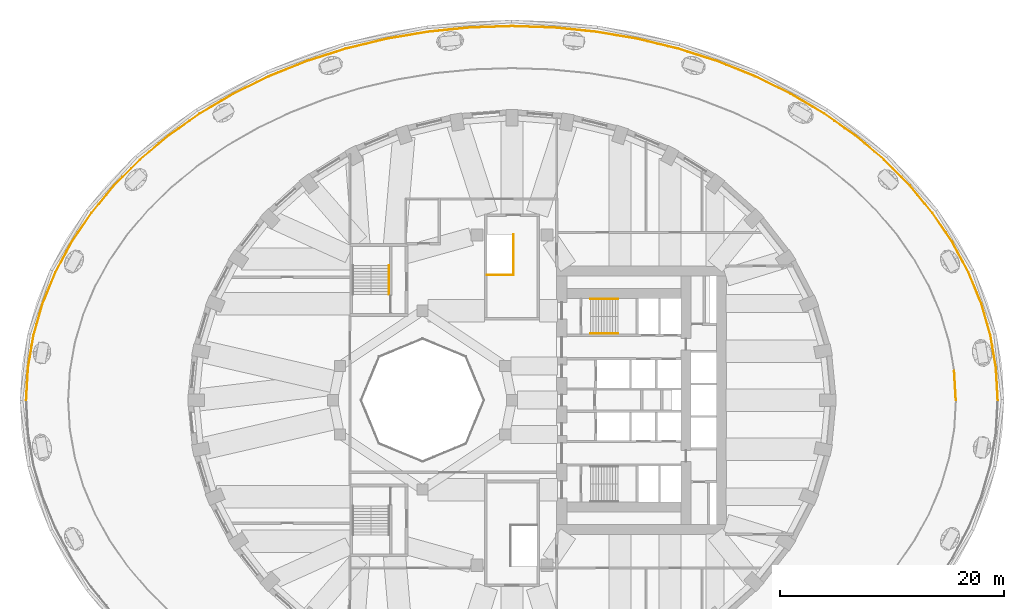
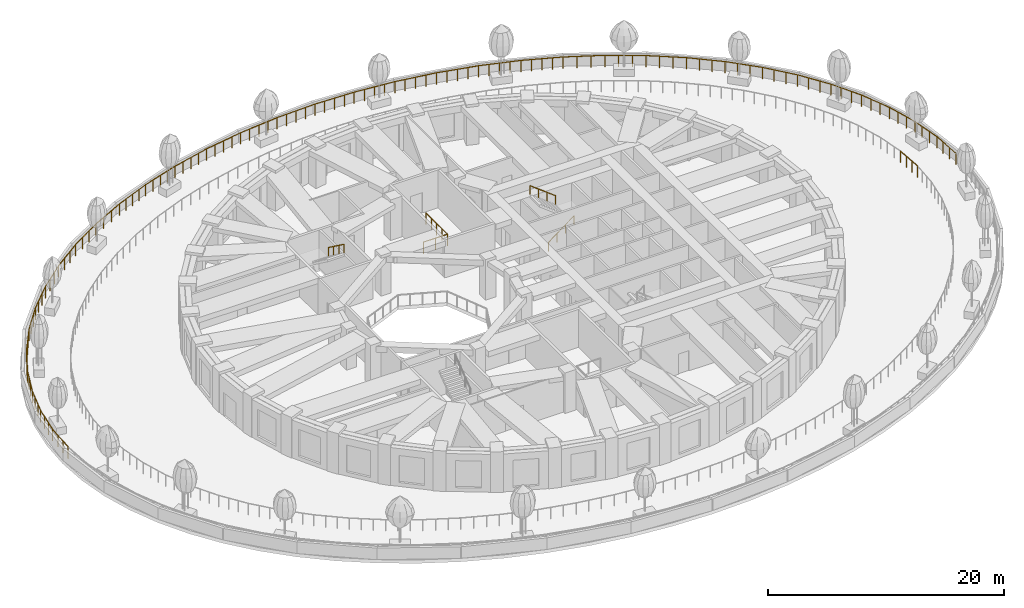
# One storey, part 12 of 17: 6 railings.
"""IFC4 building model written with IfcOpenShell, lengths in metres."""

from ifc_helpers import new_model, si_unit, direction, frame, origin, origin_2d, place, context, subcontext, project, spatial, circle, extrude, material, type_object, element, save


model = new_model("IFC4")

# Units and contexts
model_context = context("Model", 3, precision=1e-05, world=origin(), true_north=direction((0.0, 1.0)))
body_context = subcontext(model_context, "Body", "Model", "MODEL_VIEW")
ifc_project = project(units=[si_unit("LENGTHUNIT", "METRE"), si_unit("AREAUNIT", "SQUARE_METRE"), si_unit("VOLUMEUNIT", "CUBIC_METRE"), si_unit("PLANEANGLEUNIT", "RADIAN"), si_unit("MASSUNIT", "GRAM", prefix="KILO")], contexts=[model_context])

# Site, building, storey
site_placement = place(None, origin())
site = spatial("IfcSite", under=ifc_project, at=site_placement, CompositionType="ELEMENT")
building_placement = place(site_placement, origin())
building = spatial("IfcBuilding", under=site, at=building_placement, Name="Taillehof Tower", CompositionType="ELEMENT")
storey_placement = place(building_placement, frame((0.0, 0.0, 17.5)))
storey = spatial("IfcBuildingStorey", under=building, at=storey_placement, Name="L03", CompositionType="ELEMENT", Elevation=17.5)

# Railings
ifc_material_1 = material(Name="Stainless steel balustrade", Category="steel")
railing_type_1 = type_object("IfcRailingType", Name="Garden border gate 1200", PredefinedType="GUARDRAIL", material=ifc_material_1)
railing_1_placement = place(storey_placement, frame((39.699951171875, 0.0, 0.0)))
element("IfcRailing", 1, at=railing_1_placement, inside=storey, type_object=railing_type_1, Name="Garden border gate", PredefinedType="GUARDRAIL", context=body_context, shape_type="SweptSolid", body=[
    extrude(circle(Radius=0.02392578125, at=origin_2d()), frame((0.0, 0.0, 1.17578125), z_axis=(-0.058280472878, 0.998300248663, 0.0), x_axis=(-0.998300248663, -0.058280472878, 0.0)), (0.0, 0.0, 1.0), 2.593017578125),
    extrude(circle(Radius=0.02099609375, at=origin_2d()), origin(), (0.0, 0.0, 1.0), 1.15185546875),
    extrude(circle(Radius=0.02099609375, at=origin_2d()), frame((-0.05029296875, 0.86279296875, 0.0)), (0.0, 0.0, 1.0), 1.15185546875),
    extrude(circle(Radius=0.02099609375, at=origin_2d()), frame((-0.100830078125, 1.725830078125, 0.0)), (0.0, 0.0, 1.0), 1.15185546875),
    extrude(circle(Radius=0.02099609375, at=origin_2d()), frame((-0.151123046875, 2.588623046875, 0.0)), (0.0, 0.0, 1.0), 1.15185546875),
])
ifc_material_2 = material(Name="Stainless steel and laminated glass", Category="steel")
railing_type_2 = type_object("IfcRailingType", Name="Guard 1200 mm", PredefinedType="GUARDRAIL", material=ifc_material_2)
railing_2_placement = place(storey_placement, frame((0.125, 14.820068359375, 0.0)))
element("IfcRailing", 2, at=railing_2_placement, inside=storey, type_object=railing_type_2, Name="Guard P1", PredefinedType="GUARDRAIL", context=body_context, shape_type="SweptSolid", body=[
    extrude(circle(Radius=0.02392578125, at=origin_2d()), frame((0.0, 0.0, 1.17578125), z_axis=(0.0, -1.0, 0.0), x_axis=(1.0, 0.0, 0.0)), (0.0, 0.0, 1.0), 3.64013671875),
    extrude(circle(Radius=0.02392578125, at=origin_2d()), frame((0.0, -3.64013671875, 1.17578125), z_axis=(-1.0, 0.0, 0.0), x_axis=(0.0, -1.0, 0.0)), (0.0, 0.0, 1.0), 2.35009765625),
    extrude(circle(Radius=0.02099609375, at=origin_2d()), origin(), (0.0, 0.0, 1.0), 1.15185546875),
    extrude(circle(Radius=0.02099609375, at=origin_2d()), frame((0.0, -0.91015625, 0.0)), (0.0, 0.0, 1.0), 1.15185546875),
    extrude(circle(Radius=0.02099609375, at=origin_2d()), frame((0.0, -1.820068359375, 0.0)), (0.0, 0.0, 1.0), 1.15185546875),
    extrude(circle(Radius=0.02099609375, at=origin_2d()), frame((0.0, -2.72998046875, 0.0)), (0.0, 0.0, 1.0), 1.15185546875),
    extrude(circle(Radius=0.02099609375, at=origin_2d()), frame((0.0, -3.64013671875, 0.0)), (0.0, 0.0, 1.0), 1.15185546875),
    extrude(circle(Radius=0.02099609375, at=origin_2d()), frame((-1.175048828125, -3.64013671875, 0.0)), (0.0, 0.0, 1.0), 1.15185546875),
    extrude(circle(Radius=0.02099609375, at=origin_2d()), frame((-2.35009765625, -3.64013671875, 0.0)), (0.0, 0.0, 1.0), 1.15185546875),
])
ifc_material_3 = material(Name="Stainless steel", Category="steel")
railing_type_3 = type_object("IfcRailingType", Name="Stair handrail 900", PredefinedType="HANDRAIL", material=ifc_material_3)
railing_3_placement = place(storey_placement, frame((7.0, 5.949951171875, 0.19091796875)))
element("IfcRailing", 3, at=railing_3_placement, inside=storey, type_object=railing_type_3, Name="Stair S1 handrail", PredefinedType="HANDRAIL", context=body_context, shape_type="SweptSolid", body=[
    extrude(circle(Radius=0.02392578125, at=origin_2d()), frame((0.0, 0.0, 0.8759765625), z_axis=(0.794754200304, 0.0, 0.60693143031), x_axis=(0.0, 1.0, 0.0)), (0.0, 0.0, 1.0), 3.1455078125),
    extrude(circle(Radius=0.02099609375, at=origin_2d()), origin(), (0.0, 0.0, 1.0), 0.851806640625),
    extrude(circle(Radius=0.02099609375, at=origin_2d()), frame((0.833251953125, 0.0, 0.636474609375)), (0.0, 0.0, 1.0), 0.851806640625),
    extrude(circle(Radius=0.02099609375, at=origin_2d()), frame((1.666748046875, 0.0, 1.272705078125)), (0.0, 0.0, 1.0), 0.851806640625),
    extrude(circle(Radius=0.02099609375, at=origin_2d()), frame((2.5, 0.0, 1.9091796875)), (0.0, 0.0, 1.0), 0.851806640625),
])
railing_4_placement = place(storey_placement, frame((9.5, 9.050048828125, 2.291015625)))
element("IfcRailing", 4, at=railing_4_placement, inside=storey, type_object=railing_type_3, Name="Stair S1 handrail", PredefinedType="HANDRAIL", context=body_context, shape_type="SweptSolid", body=[
    extrude(circle(Radius=0.02392578125, at=origin_2d()), frame((0.0, 0.0, 0.8759765625), z_axis=(-0.794791637926, 0.0, 0.606882403998), x_axis=(0.0, -1.0, 0.0)), (0.0, 0.0, 1.0), 3.1455078125),
    extrude(circle(Radius=0.02099609375, at=origin_2d()), origin(), (0.0, 0.0, 1.0), 0.851806640625),
    extrude(circle(Radius=0.02099609375, at=origin_2d()), frame((-0.833251953125, 0.0, 0.63623046875)), (0.0, 0.0, 1.0), 0.851806640625),
    extrude(circle(Radius=0.02099609375, at=origin_2d()), frame((-1.666748046875, 0.0, 1.272705078125)), (0.0, 0.0, 1.0), 0.851806640625),
    extrude(circle(Radius=0.02099609375, at=origin_2d()), frame((-2.5, 0.0, 1.908935546875)), (0.0, 0.0, 1.0), 0.851806640625),
])
railing_5_placement = place(storey_placement, frame((-11.0, 12.050048828125, 2.291015625)))
element("IfcRailing", 5, at=railing_5_placement, inside=storey, type_object=railing_type_3, Name="Stair S3 handrail", PredefinedType="HANDRAIL", context=body_context, shape_type="SweptSolid", body=[
    extrude(circle(Radius=0.02392578125, at=origin_2d()), frame((0.0, 0.0, 0.8759765625), z_axis=(0.0, -0.806080027154, 0.591806547635), x_axis=(1.0, 0.0, 0.0)), (0.0, 0.0, 1.0), 3.2255859375),
    extrude(circle(Radius=0.02099609375, at=origin_2d()), origin(), (0.0, 0.0, 1.0), 0.851806640625),
    extrude(circle(Radius=0.02099609375, at=origin_2d()), frame((0.0, -0.86669921875, 0.63623046875)), (0.0, 0.0, 1.0), 0.851806640625),
    extrude(circle(Radius=0.02099609375, at=origin_2d()), frame((0.0, -1.7333984375, 1.272705078125)), (0.0, 0.0, 1.0), 0.851806640625),
    extrude(circle(Radius=0.02099609375, at=origin_2d()), frame((0.0, -2.60009765625, 1.908935546875)), (0.0, 0.0, 1.0), 0.851806640625),
])
ifc_material_4 = material(Name="Stainless steel balustrade", Category="steel")
railing_type_4 = type_object("IfcRailingType", Name="Terrace guard 1200", PredefinedType="GUARDRAIL", material=ifc_material_4)
railing_6_placement = place(storey_placement, frame((43.449951171875, 0.0, 0.0)))
element("IfcRailing", 6, at=railing_6_placement, inside=storey, type_object=railing_type_4, Name="Roof terrace guard", PredefinedType="GUARDRAIL", context=body_context, shape_type="SweptSolid", body=[
    extrude(circle(Radius=0.02392578125, at=origin_2d()), frame((0.0, 0.0, 1.17578125), z_axis=(-0.056604518185, 0.998396678941, 0.0), x_axis=(-0.998396678941, -0.056604518185, 0.0)), (0.0, 0.0, 1.0), 2.919921875),
    extrude(circle(Radius=0.02392578125, at=origin_2d()), frame((-0.165283203125, 2.915283203125, 1.17578125), z_axis=(-0.168592128928, 0.985685900307, 0.0), x_axis=(-0.985685900307, -0.168592128928, 0.0)), (0.0, 0.0, 1.0), 2.935302734375),
    extrude(circle(Radius=0.02392578125, at=origin_2d()), frame((-0.66015625, 5.80859375, 1.17578125), z_axis=(-0.276700082454, 0.960956328024, 0.0), x_axis=(-0.960956328024, -0.276700082454, 0.0)), (0.0, 0.0, 1.0), 2.964599609375),
    extrude(circle(Radius=0.02392578125, at=origin_2d()), frame((-1.48046875, 8.657470703125, 1.17578125), z_axis=(-0.379005788678, 0.925394300906, 0.0), x_axis=(-0.925394300906, -0.379005788678, 0.0)), (0.0, 0.0, 1.0), 3.007568359375),
    extrude(circle(Radius=0.02392578125, at=origin_2d()), frame((-2.620361328125, 11.440673828125, 1.17578125), z_axis=(-0.473809688382, 0.880627264622, 0.0), x_axis=(-0.880627264622, -0.473809688382, 0.0)), (0.0, 0.0, 1.0), 3.061279296875),
    extrude(circle(Radius=0.02392578125, at=origin_2d()), frame((-4.07080078125, 14.136474609375, 1.17578125), z_axis=(-0.560115441063, 0.828414565712, 0.0), x_axis=(-0.828414565712, -0.560115441063, 0.0)), (0.0, 0.0, 1.0), 3.124755859375),
    extrude(circle(Radius=0.02392578125, at=origin_2d()), frame((-5.821044921875, 16.72509765625, 1.17578125), z_axis=(-0.637609943433, 0.770359370707, 0.0), x_axis=(-0.770359370707, -0.637609943433, 0.0)), (0.0, 0.0, 1.0), 3.194580078125),
    extrude(circle(Radius=0.02392578125, at=origin_2d()), frame((-7.85791015625, 19.18603515625, 1.17578125), z_axis=(-0.705910705042, 0.708300837574, 0.0), x_axis=(-0.708300837574, -0.705910705042, 0.0)), (0.0, 0.0, 1.0), 3.2685546875),
    extrude(circle(Radius=0.02392578125, at=origin_2d()), frame((-10.165283203125, 21.501220703125, 1.17578125), z_axis=(-0.765624333598, 0.643287944704, 0.0), x_axis=(-0.643287944704, -0.765624333598, 0.0)), (0.0, 0.0, 1.0), 3.3447265625),
    extrude(circle(Radius=0.02392578125, at=origin_2d()), frame((-12.72607421875, 23.65283203125, 1.17578125), z_axis=(-0.817143897153, 0.576433735434, 0.0), x_axis=(-0.576433735434, -0.817143897153, 0.0)), (0.0, 0.0, 1.0), 3.420166015625),
    extrude(circle(Radius=0.02392578125, at=origin_2d()), frame((-15.520751953125, 25.624267578125, 1.17578125), z_axis=(-0.861012792084, 0.508583298848, 0.0), x_axis=(-0.508583298848, -0.861012792084, 0.0)), (0.0, 0.0, 1.0), 3.49267578125),
    extrude(circle(Radius=0.02392578125, at=origin_2d()), frame((-18.528076171875, 27.400634765625, 1.17578125), z_axis=(-0.897829307718, 0.440343654664, 0.0), x_axis=(-0.440343654664, -0.897829307718, 0.0)), (0.0, 0.0, 1.0), 3.560546875),
    extrude(circle(Radius=0.02392578125, at=origin_2d()), frame((-21.724853515625, 28.968505859375, 1.17578125), z_axis=(-0.92823943797, 0.371983260104, 0.0), x_axis=(-0.371983260104, -0.92823943797, 0.0)), (0.0, 0.0, 1.0), 3.622314453125),
    extrude(circle(Radius=0.02392578125, at=origin_2d()), frame((-25.087158203125, 30.31591796875, 1.17578125), z_axis=(-0.952733680398, 0.303806738298, 0.0), x_axis=(-0.303806738298, -0.952733680398, 0.0)), (0.0, 0.0, 1.0), 3.67578125),
    extrude(circle(Radius=0.02392578125, at=origin_2d()), frame((-28.589111328125, 31.4326171875, 1.17578125), z_axis=(-0.971772190743, 0.235921192985, 0.0), x_axis=(-0.235921192985, -0.971772190743, 0.0)), (0.0, 0.0, 1.0), 3.72021484375),
    extrude(circle(Radius=0.02392578125, at=origin_2d()), frame((-32.204345703125, 32.310302734375, 1.17578125), z_axis=(-0.985746685866, 0.168236355478, 0.0), x_axis=(-0.168236355478, -0.985746685866, 0.0)), (0.0, 0.0, 1.0), 3.754150390625),
    extrude(circle(Radius=0.02392578125, at=origin_2d()), frame((-35.905029296875, 32.94189453125, 1.17578125), z_axis=(-0.994903841734, 0.100828298129, 0.0), x_axis=(-0.100828298129, -0.994903841734, 0.0)), (0.0, 0.0, 1.0), 3.77734375),
    extrude(circle(Radius=0.02392578125, at=origin_2d()), frame((-39.6630859375, 33.32275390625, 1.17578125), z_axis=(-0.999436364215, 0.033570133825, 0.0), x_axis=(-0.033570133825, -0.999436364215, 0.0)), (0.0, 0.0, 1.0), 3.7890625),
    extrude(circle(Radius=0.02392578125, at=origin_2d()), frame((-43.449951171875, 33.449951171875, 1.17578125), z_axis=(-0.999436364215, -0.033570133825, 0.0), x_axis=(0.033570133825, -0.999436364215, 0.0)), (0.0, 0.0, 1.0), 3.7890625),
    extrude(circle(Radius=0.02392578125, at=origin_2d()), frame((-47.23681640625, 33.32275390625, 1.17578125), z_axis=(-0.994903841734, -0.100828298129, 0.0), x_axis=(0.100828298129, -0.994903841734, 0.0)), (0.0, 0.0, 1.0), 3.77734375),
    extrude(circle(Radius=0.02392578125, at=origin_2d()), frame((-50.994873046875, 32.94189453125, 1.17578125), z_axis=(-0.985746685866, -0.168236355478, 0.0), x_axis=(0.168236355478, -0.985746685866, 0.0)), (0.0, 0.0, 1.0), 3.754150390625),
    extrude(circle(Radius=0.02392578125, at=origin_2d()), frame((-54.695556640625, 32.310302734375, 1.17578125), z_axis=(-0.971772190743, -0.235921192985, 0.0), x_axis=(0.235921192985, -0.971772190743, 0.0)), (0.0, 0.0, 1.0), 3.72021484375),
    extrude(circle(Radius=0.02392578125, at=origin_2d()), frame((-58.310791015625, 31.4326171875, 1.17578125), z_axis=(-0.952733680398, -0.303806738298, 0.0), x_axis=(0.303806738298, -0.952733680398, 0.0)), (0.0, 0.0, 1.0), 3.67578125),
    extrude(circle(Radius=0.02392578125, at=origin_2d()), frame((-61.812744140625, 30.31591796875, 1.17578125), z_axis=(-0.92823943797, -0.371983260104, 0.0), x_axis=(0.371983260104, -0.92823943797, 0.0)), (0.0, 0.0, 1.0), 3.622314453125),
    extrude(circle(Radius=0.02392578125, at=origin_2d()), frame((-65.175048828125, 28.968505859375, 1.17578125), z_axis=(-0.897829307718, -0.440343654664, 0.0), x_axis=(0.440343654664, -0.897829307718, 0.0)), (0.0, 0.0, 1.0), 3.560546875),
    extrude(circle(Radius=0.02392578125, at=origin_2d()), frame((-68.371826171875, 27.400634765625, 1.17578125), z_axis=(-0.861012792084, -0.508583298848, 0.0), x_axis=(0.508583298848, -0.861012792084, 0.0)), (0.0, 0.0, 1.0), 3.49267578125),
    extrude(circle(Radius=0.02392578125, at=origin_2d()), frame((-71.379150390625, 25.624267578125, 1.17578125), z_axis=(-0.817143897153, -0.576433735434, 0.0), x_axis=(0.576433735434, -0.817143897153, 0.0)), (0.0, 0.0, 1.0), 3.420166015625),
    extrude(circle(Radius=0.02392578125, at=origin_2d()), frame((-74.173828125, 23.65283203125, 1.17578125), z_axis=(-0.765624333598, -0.643287944704, 0.0), x_axis=(0.643287944704, -0.765624333598, 0.0)), (0.0, 0.0, 1.0), 3.3447265625),
    extrude(circle(Radius=0.02392578125, at=origin_2d()), frame((-76.734619140625, 21.501220703125, 1.17578125), z_axis=(-0.705910705042, -0.708300837574, 0.0), x_axis=(0.708300837574, -0.705910705042, 0.0)), (0.0, 0.0, 1.0), 3.2685546875),
    extrude(circle(Radius=0.02392578125, at=origin_2d()), frame((-79.0419921875, 19.18603515625, 1.17578125), z_axis=(-0.637609943433, -0.770359370707, 0.0), x_axis=(0.770359370707, -0.637609943433, 0.0)), (0.0, 0.0, 1.0), 3.194580078125),
    extrude(circle(Radius=0.02392578125, at=origin_2d()), frame((-81.078857421875, 16.72509765625, 1.17578125), z_axis=(-0.560115441063, -0.828414565712, 0.0), x_axis=(0.828414565712, -0.560115441063, 0.0)), (0.0, 0.0, 1.0), 3.124755859375),
    extrude(circle(Radius=0.02392578125, at=origin_2d()), frame((-82.8291015625, 14.136474609375, 1.17578125), z_axis=(-0.473809688382, -0.880627264622, 0.0), x_axis=(0.880627264622, -0.473809688382, 0.0)), (0.0, 0.0, 1.0), 3.061279296875),
    extrude(circle(Radius=0.02392578125, at=origin_2d()), frame((-84.279541015625, 11.440673828125, 1.17578125), z_axis=(-0.379005788678, -0.925394300906, 0.0), x_axis=(0.925394300906, -0.379005788678, 0.0)), (0.0, 0.0, 1.0), 3.007568359375),
    extrude(circle(Radius=0.02392578125, at=origin_2d()), frame((-85.41943359375, 8.657470703125, 1.17578125), z_axis=(-0.276700082454, -0.960956328024, 0.0), x_axis=(0.960956328024, -0.276700082454, 0.0)), (0.0, 0.0, 1.0), 2.964599609375),
    extrude(circle(Radius=0.02392578125, at=origin_2d()), frame((-86.23974609375, 5.80859375, 1.17578125), z_axis=(-0.168592128928, -0.985685900307, 0.0), x_axis=(0.985685900307, -0.168592128928, 0.0)), (0.0, 0.0, 1.0), 2.935302734375),
    extrude(circle(Radius=0.02392578125, at=origin_2d()), frame((-86.734619140625, 2.915283203125, 1.17578125), z_axis=(-0.056604518185, -0.998396678941, 0.0), x_axis=(0.998396678941, -0.056604518185, 0.0)), (0.0, 0.0, 1.0), 2.919921875),
    extrude(circle(Radius=0.02099609375, at=origin_2d()), origin(), (0.0, 0.0, 1.0), 1.15185546875),
    extrude(circle(Radius=0.02099609375, at=origin_2d()), frame((-0.05517578125, 0.9716796875, 0.0)), (0.0, 0.0, 1.0), 1.15185546875),
    extrude(circle(Radius=0.02099609375, at=origin_2d()), frame((-0.110107421875, 1.943603515625, 0.0)), (0.0, 0.0, 1.0), 1.15185546875),
    extrude(circle(Radius=0.02099609375, at=origin_2d()), frame((-0.165283203125, 2.915283203125, 0.0)), (0.0, 0.0, 1.0), 1.15185546875),
    extrude(circle(Radius=0.02099609375, at=origin_2d()), frame((-0.330322265625, 3.879638671875, 0.0)), (0.0, 0.0, 1.0), 1.15185546875),
    extrude(circle(Radius=0.02099609375, at=origin_2d()), frame((-0.4951171875, 4.84423828125, 0.0)), (0.0, 0.0, 1.0), 1.15185546875),
    extrude(circle(Radius=0.02099609375, at=origin_2d()), frame((-0.66015625, 5.80859375, 0.0)), (0.0, 0.0, 1.0), 1.15185546875),
    extrude(circle(Radius=0.02099609375, at=origin_2d()), frame((-0.93359375, 6.75830078125, 0.0)), (0.0, 0.0, 1.0), 1.15185546875),
    extrude(circle(Radius=0.02099609375, at=origin_2d()), frame((-1.20703125, 7.707763671875, 0.0)), (0.0, 0.0, 1.0), 1.15185546875),
    extrude(circle(Radius=0.02099609375, at=origin_2d()), frame((-1.48046875, 8.657470703125, 0.0)), (0.0, 0.0, 1.0), 1.15185546875),
    extrude(circle(Radius=0.02099609375, at=origin_2d()), frame((-1.8603515625, 9.585205078125, 0.0)), (0.0, 0.0, 1.0), 1.15185546875),
    extrude(circle(Radius=0.02099609375, at=origin_2d()), frame((-2.240478515625, 10.512939453125, 0.0)), (0.0, 0.0, 1.0), 1.15185546875),
    extrude(circle(Radius=0.02099609375, at=origin_2d()), frame((-2.620361328125, 11.440673828125, 0.0)), (0.0, 0.0, 1.0), 1.15185546875),
    extrude(circle(Radius=0.02099609375, at=origin_2d()), frame((-3.103759765625, 12.33935546875, 0.0)), (0.0, 0.0, 1.0), 1.15185546875),
    extrude(circle(Radius=0.02099609375, at=origin_2d()), frame((-3.58740234375, 13.23779296875, 0.0)), (0.0, 0.0, 1.0), 1.15185546875),
    extrude(circle(Radius=0.02099609375, at=origin_2d()), frame((-4.07080078125, 14.136474609375, 0.0)), (0.0, 0.0, 1.0), 1.15185546875),
    extrude(circle(Radius=0.02099609375, at=origin_2d()), frame((-4.654296875, 14.999267578125, 0.0)), (0.0, 0.0, 1.0), 1.15185546875),
    extrude(circle(Radius=0.02099609375, at=origin_2d()), frame((-5.237548828125, 15.8623046875, 0.0)), (0.0, 0.0, 1.0), 1.15185546875),
    extrude(circle(Radius=0.02099609375, at=origin_2d()), frame((-5.821044921875, 16.72509765625, 0.0)), (0.0, 0.0, 1.0), 1.15185546875),
    extrude(circle(Radius=0.02099609375, at=origin_2d()), frame((-6.5, 17.54541015625, 0.0)), (0.0, 0.0, 1.0), 1.15185546875),
    extrude(circle(Radius=0.02099609375, at=origin_2d()), frame((-7.178955078125, 18.36572265625, 0.0)), (0.0, 0.0, 1.0), 1.15185546875),
    extrude(circle(Radius=0.02099609375, at=origin_2d()), frame((-7.85791015625, 19.18603515625, 0.0)), (0.0, 0.0, 1.0), 1.15185546875),
    extrude(circle(Radius=0.02099609375, at=origin_2d()), frame((-8.626953125, 19.957763671875, 0.0)), (0.0, 0.0, 1.0), 1.15185546875),
    extrude(circle(Radius=0.02099609375, at=origin_2d()), frame((-9.396240234375, 20.7294921875, 0.0)), (0.0, 0.0, 1.0), 1.15185546875),
    extrude(circle(Radius=0.02099609375, at=origin_2d()), frame((-10.165283203125, 21.501220703125, 0.0)), (0.0, 0.0, 1.0), 1.15185546875),
    extrude(circle(Radius=0.02099609375, at=origin_2d()), frame((-11.018798828125, 22.218505859375, 0.0)), (0.0, 0.0, 1.0), 1.15185546875),
    extrude(circle(Radius=0.02099609375, at=origin_2d()), frame((-11.87255859375, 22.935546875, 0.0)), (0.0, 0.0, 1.0), 1.15185546875),
    extrude(circle(Radius=0.02099609375, at=origin_2d()), frame((-12.72607421875, 23.65283203125, 0.0)), (0.0, 0.0, 1.0), 1.15185546875),
    extrude(circle(Radius=0.02099609375, at=origin_2d()), frame((-13.65771484375, 24.31005859375, 0.0)), (0.0, 0.0, 1.0), 1.15185546875),
    extrude(circle(Radius=0.02099609375, at=origin_2d()), frame((-14.589111328125, 24.967041015625, 0.0)), (0.0, 0.0, 1.0), 1.15185546875),
    extrude(circle(Radius=0.02099609375, at=origin_2d()), frame((-15.520751953125, 25.624267578125, 0.0)), (0.0, 0.0, 1.0), 1.15185546875),
    extrude(circle(Radius=0.02099609375, at=origin_2d()), frame((-16.523193359375, 26.21630859375, 0.0)), (0.0, 0.0, 1.0), 1.15185546875),
    extrude(circle(Radius=0.02099609375, at=origin_2d()), frame((-17.525634765625, 26.80859375, 0.0)), (0.0, 0.0, 1.0), 1.15185546875),
    extrude(circle(Radius=0.02099609375, at=origin_2d()), frame((-18.528076171875, 27.400634765625, 0.0)), (0.0, 0.0, 1.0), 1.15185546875),
    extrude(circle(Radius=0.02099609375, at=origin_2d()), frame((-19.59375, 27.92333984375, 0.0)), (0.0, 0.0, 1.0), 1.15185546875),
    extrude(circle(Radius=0.02099609375, at=origin_2d()), frame((-20.6591796875, 28.44580078125, 0.0)), (0.0, 0.0, 1.0), 1.15185546875),
    extrude(circle(Radius=0.02099609375, at=origin_2d()), frame((-21.724853515625, 28.968505859375, 0.0)), (0.0, 0.0, 1.0), 1.15185546875),
    extrude(circle(Radius=0.02099609375, at=origin_2d()), frame((-22.5654296875, 29.305419921875, 0.0)), (0.0, 0.0, 1.0), 1.15185546875),
    extrude(circle(Radius=0.02099609375, at=origin_2d()), frame((-23.406005859375, 29.64208984375, 0.0)), (0.0, 0.0, 1.0), 1.15185546875),
    extrude(circle(Radius=0.02099609375, at=origin_2d()), frame((-24.24658203125, 29.97900390625, 0.0)), (0.0, 0.0, 1.0), 1.15185546875),
    extrude(circle(Radius=0.02099609375, at=origin_2d()), frame((-25.087158203125, 30.31591796875, 0.0)), (0.0, 0.0, 1.0), 1.15185546875),
    extrude(circle(Radius=0.02099609375, at=origin_2d()), frame((-25.962646484375, 30.59521484375, 0.0)), (0.0, 0.0, 1.0), 1.15185546875),
    extrude(circle(Radius=0.02099609375, at=origin_2d()), frame((-26.838134765625, 30.874267578125, 0.0)), (0.0, 0.0, 1.0), 1.15185546875),
    extrude(circle(Radius=0.02099609375, at=origin_2d()), frame((-27.713623046875, 31.1533203125, 0.0)), (0.0, 0.0, 1.0), 1.15185546875),
    extrude(circle(Radius=0.02099609375, at=origin_2d()), frame((-28.589111328125, 31.4326171875, 0.0)), (0.0, 0.0, 1.0), 1.15185546875),
    extrude(circle(Radius=0.02099609375, at=origin_2d()), frame((-29.492919921875, 31.652099609375, 0.0)), (0.0, 0.0, 1.0), 1.15185546875),
    extrude(circle(Radius=0.02099609375, at=origin_2d()), frame((-30.396728515625, 31.87158203125, 0.0)), (0.0, 0.0, 1.0), 1.15185546875),
    extrude(circle(Radius=0.02099609375, at=origin_2d()), frame((-31.300537109375, 32.0908203125, 0.0)), (0.0, 0.0, 1.0), 1.15185546875),
    extrude(circle(Radius=0.02099609375, at=origin_2d()), frame((-32.204345703125, 32.310302734375, 0.0)), (0.0, 0.0, 1.0), 1.15185546875),
    extrude(circle(Radius=0.02099609375, at=origin_2d()), frame((-33.12939453125, 32.46826171875, 0.0)), (0.0, 0.0, 1.0), 1.15185546875),
    extrude(circle(Radius=0.02099609375, at=origin_2d()), frame((-34.0546875, 32.6259765625, 0.0)), (0.0, 0.0, 1.0), 1.15185546875),
    extrude(circle(Radius=0.02099609375, at=origin_2d()), frame((-34.97998046875, 32.783935546875, 0.0)), (0.0, 0.0, 1.0), 1.15185546875),
    extrude(circle(Radius=0.02099609375, at=origin_2d()), frame((-35.905029296875, 32.94189453125, 0.0)), (0.0, 0.0, 1.0), 1.15185546875),
    extrude(circle(Radius=0.02099609375, at=origin_2d()), frame((-36.844482421875, 33.037109375, 0.0)), (0.0, 0.0, 1.0), 1.15185546875),
    extrude(circle(Radius=0.02099609375, at=origin_2d()), frame((-37.7841796875, 33.13232421875, 0.0)), (0.0, 0.0, 1.0), 1.15185546875),
    extrude(circle(Radius=0.02099609375, at=origin_2d()), frame((-38.7236328125, 33.2275390625, 0.0)), (0.0, 0.0, 1.0), 1.15185546875),
    extrude(circle(Radius=0.02099609375, at=origin_2d()), frame((-39.6630859375, 33.32275390625, 0.0)), (0.0, 0.0, 1.0), 1.15185546875),
    extrude(circle(Radius=0.02099609375, at=origin_2d()), frame((-40.60986328125, 33.3544921875, 0.0)), (0.0, 0.0, 1.0), 1.15185546875),
    extrude(circle(Radius=0.02099609375, at=origin_2d()), frame((-41.556640625, 33.38623046875, 0.0)), (0.0, 0.0, 1.0), 1.15185546875),
    extrude(circle(Radius=0.02099609375, at=origin_2d()), frame((-42.503173828125, 33.418212890625, 0.0)), (0.0, 0.0, 1.0), 1.15185546875),
    extrude(circle(Radius=0.02099609375, at=origin_2d()), frame((-43.449951171875, 33.449951171875, 0.0)), (0.0, 0.0, 1.0), 1.15185546875),
    extrude(circle(Radius=0.02099609375, at=origin_2d()), frame((-44.396728515625, 33.418212890625, 0.0)), (0.0, 0.0, 1.0), 1.15185546875),
    extrude(circle(Radius=0.02099609375, at=origin_2d()), frame((-45.34326171875, 33.38623046875, 0.0)), (0.0, 0.0, 1.0), 1.15185546875),
    extrude(circle(Radius=0.02099609375, at=origin_2d()), frame((-46.2900390625, 33.3544921875, 0.0)), (0.0, 0.0, 1.0), 1.15185546875),
    extrude(circle(Radius=0.02099609375, at=origin_2d()), frame((-47.23681640625, 33.32275390625, 0.0)), (0.0, 0.0, 1.0), 1.15185546875),
    extrude(circle(Radius=0.02099609375, at=origin_2d()), frame((-48.17626953125, 33.2275390625, 0.0)), (0.0, 0.0, 1.0), 1.15185546875),
    extrude(circle(Radius=0.02099609375, at=origin_2d()), frame((-49.11572265625, 33.13232421875, 0.0)), (0.0, 0.0, 1.0), 1.15185546875),
    extrude(circle(Radius=0.02099609375, at=origin_2d()), frame((-50.055419921875, 33.037109375, 0.0)), (0.0, 0.0, 1.0), 1.15185546875),
    extrude(circle(Radius=0.02099609375, at=origin_2d()), frame((-50.994873046875, 32.94189453125, 0.0)), (0.0, 0.0, 1.0), 1.15185546875),
    extrude(circle(Radius=0.02099609375, at=origin_2d()), frame((-51.919921875, 32.783935546875, 0.0)), (0.0, 0.0, 1.0), 1.15185546875),
    extrude(circle(Radius=0.02099609375, at=origin_2d()), frame((-52.84521484375, 32.6259765625, 0.0)), (0.0, 0.0, 1.0), 1.15185546875),
    extrude(circle(Radius=0.02099609375, at=origin_2d()), frame((-53.7705078125, 32.46826171875, 0.0)), (0.0, 0.0, 1.0), 1.15185546875),
    extrude(circle(Radius=0.02099609375, at=origin_2d()), frame((-54.695556640625, 32.310302734375, 0.0)), (0.0, 0.0, 1.0), 1.15185546875),
    extrude(circle(Radius=0.02099609375, at=origin_2d()), frame((-55.599365234375, 32.0908203125, 0.0)), (0.0, 0.0, 1.0), 1.15185546875),
    extrude(circle(Radius=0.02099609375, at=origin_2d()), frame((-56.503173828125, 31.87158203125, 0.0)), (0.0, 0.0, 1.0), 1.15185546875),
    extrude(circle(Radius=0.02099609375, at=origin_2d()), frame((-57.406982421875, 31.652099609375, 0.0)), (0.0, 0.0, 1.0), 1.15185546875),
    extrude(circle(Radius=0.02099609375, at=origin_2d()), frame((-58.310791015625, 31.4326171875, 0.0)), (0.0, 0.0, 1.0), 1.15185546875),
    extrude(circle(Radius=0.02099609375, at=origin_2d()), frame((-59.186279296875, 31.1533203125, 0.0)), (0.0, 0.0, 1.0), 1.15185546875),
    extrude(circle(Radius=0.02099609375, at=origin_2d()), frame((-60.061767578125, 30.874267578125, 0.0)), (0.0, 0.0, 1.0), 1.15185546875),
    extrude(circle(Radius=0.02099609375, at=origin_2d()), frame((-60.937255859375, 30.59521484375, 0.0)), (0.0, 0.0, 1.0), 1.15185546875),
    extrude(circle(Radius=0.02099609375, at=origin_2d()), frame((-61.812744140625, 30.31591796875, 0.0)), (0.0, 0.0, 1.0), 1.15185546875),
    extrude(circle(Radius=0.02099609375, at=origin_2d()), frame((-62.6533203125, 29.97900390625, 0.0)), (0.0, 0.0, 1.0), 1.15185546875),
    extrude(circle(Radius=0.02099609375, at=origin_2d()), frame((-63.493896484375, 29.64208984375, 0.0)), (0.0, 0.0, 1.0), 1.15185546875),
    extrude(circle(Radius=0.02099609375, at=origin_2d()), frame((-64.33447265625, 29.305419921875, 0.0)), (0.0, 0.0, 1.0), 1.15185546875),
    extrude(circle(Radius=0.02099609375, at=origin_2d()), frame((-65.175048828125, 28.968505859375, 0.0)), (0.0, 0.0, 1.0), 1.15185546875),
    extrude(circle(Radius=0.02099609375, at=origin_2d()), frame((-66.24072265625, 28.44580078125, 0.0)), (0.0, 0.0, 1.0), 1.15185546875),
    extrude(circle(Radius=0.02099609375, at=origin_2d()), frame((-67.30615234375, 27.92333984375, 0.0)), (0.0, 0.0, 1.0), 1.15185546875),
    extrude(circle(Radius=0.02099609375, at=origin_2d()), frame((-68.371826171875, 27.400634765625, 0.0)), (0.0, 0.0, 1.0), 1.15185546875),
    extrude(circle(Radius=0.02099609375, at=origin_2d()), frame((-69.374267578125, 26.80859375, 0.0)), (0.0, 0.0, 1.0), 1.15185546875),
    extrude(circle(Radius=0.02099609375, at=origin_2d()), frame((-70.376708984375, 26.21630859375, 0.0)), (0.0, 0.0, 1.0), 1.15185546875),
    extrude(circle(Radius=0.02099609375, at=origin_2d()), frame((-71.379150390625, 25.624267578125, 0.0)), (0.0, 0.0, 1.0), 1.15185546875),
    extrude(circle(Radius=0.02099609375, at=origin_2d()), frame((-72.310791015625, 24.967041015625, 0.0)), (0.0, 0.0, 1.0), 1.15185546875),
    extrude(circle(Radius=0.02099609375, at=origin_2d()), frame((-73.2421875, 24.31005859375, 0.0)), (0.0, 0.0, 1.0), 1.15185546875),
    extrude(circle(Radius=0.02099609375, at=origin_2d()), frame((-74.173828125, 23.65283203125, 0.0)), (0.0, 0.0, 1.0), 1.15185546875),
    extrude(circle(Radius=0.02099609375, at=origin_2d()), frame((-75.02734375, 22.935546875, 0.0)), (0.0, 0.0, 1.0), 1.15185546875),
    extrude(circle(Radius=0.02099609375, at=origin_2d()), frame((-75.881103515625, 22.218505859375, 0.0)), (0.0, 0.0, 1.0), 1.15185546875),
    extrude(circle(Radius=0.02099609375, at=origin_2d()), frame((-76.734619140625, 21.501220703125, 0.0)), (0.0, 0.0, 1.0), 1.15185546875),
    extrude(circle(Radius=0.02099609375, at=origin_2d()), frame((-77.503662109375, 20.7294921875, 0.0)), (0.0, 0.0, 1.0), 1.15185546875),
    extrude(circle(Radius=0.02099609375, at=origin_2d()), frame((-78.27294921875, 19.957763671875, 0.0)), (0.0, 0.0, 1.0), 1.15185546875),
    extrude(circle(Radius=0.02099609375, at=origin_2d()), frame((-79.0419921875, 19.18603515625, 0.0)), (0.0, 0.0, 1.0), 1.15185546875),
    extrude(circle(Radius=0.02099609375, at=origin_2d()), frame((-79.720947265625, 18.36572265625, 0.0)), (0.0, 0.0, 1.0), 1.15185546875),
    extrude(circle(Radius=0.02099609375, at=origin_2d()), frame((-80.39990234375, 17.54541015625, 0.0)), (0.0, 0.0, 1.0), 1.15185546875),
    extrude(circle(Radius=0.02099609375, at=origin_2d()), frame((-81.078857421875, 16.72509765625, 0.0)), (0.0, 0.0, 1.0), 1.15185546875),
    extrude(circle(Radius=0.02099609375, at=origin_2d()), frame((-81.662353515625, 15.8623046875, 0.0)), (0.0, 0.0, 1.0), 1.15185546875),
    extrude(circle(Radius=0.02099609375, at=origin_2d()), frame((-82.24560546875, 14.999267578125, 0.0)), (0.0, 0.0, 1.0), 1.15185546875),
    extrude(circle(Radius=0.02099609375, at=origin_2d()), frame((-82.8291015625, 14.136474609375, 0.0)), (0.0, 0.0, 1.0), 1.15185546875),
    extrude(circle(Radius=0.02099609375, at=origin_2d()), frame((-83.3125, 13.23779296875, 0.0)), (0.0, 0.0, 1.0), 1.15185546875),
    extrude(circle(Radius=0.02099609375, at=origin_2d()), frame((-83.796142578125, 12.33935546875, 0.0)), (0.0, 0.0, 1.0), 1.15185546875),
    extrude(circle(Radius=0.02099609375, at=origin_2d()), frame((-84.279541015625, 11.440673828125, 0.0)), (0.0, 0.0, 1.0), 1.15185546875),
    extrude(circle(Radius=0.02099609375, at=origin_2d()), frame((-84.659423828125, 10.512939453125, 0.0)), (0.0, 0.0, 1.0), 1.15185546875),
    extrude(circle(Radius=0.02099609375, at=origin_2d()), frame((-85.03955078125, 9.585205078125, 0.0)), (0.0, 0.0, 1.0), 1.15185546875),
    extrude(circle(Radius=0.02099609375, at=origin_2d()), frame((-85.41943359375, 8.657470703125, 0.0)), (0.0, 0.0, 1.0), 1.15185546875),
    extrude(circle(Radius=0.02099609375, at=origin_2d()), frame((-85.69287109375, 7.707763671875, 0.0)), (0.0, 0.0, 1.0), 1.15185546875),
    extrude(circle(Radius=0.02099609375, at=origin_2d()), frame((-85.96630859375, 6.75830078125, 0.0)), (0.0, 0.0, 1.0), 1.15185546875),
    extrude(circle(Radius=0.02099609375, at=origin_2d()), frame((-86.23974609375, 5.80859375, 0.0)), (0.0, 0.0, 1.0), 1.15185546875),
    extrude(circle(Radius=0.02099609375, at=origin_2d()), frame((-86.40478515625, 4.84423828125, 0.0)), (0.0, 0.0, 1.0), 1.15185546875),
    extrude(circle(Radius=0.02099609375, at=origin_2d()), frame((-86.569580078125, 3.879638671875, 0.0)), (0.0, 0.0, 1.0), 1.15185546875),
    extrude(circle(Radius=0.02099609375, at=origin_2d()), frame((-86.734619140625, 2.915283203125, 0.0)), (0.0, 0.0, 1.0), 1.15185546875),
    extrude(circle(Radius=0.02099609375, at=origin_2d()), frame((-86.789794921875, 1.943603515625, 0.0)), (0.0, 0.0, 1.0), 1.15185546875),
    extrude(circle(Radius=0.02099609375, at=origin_2d()), frame((-86.8447265625, 0.9716796875, 0.0)), (0.0, 0.0, 1.0), 1.15185546875),
    extrude(circle(Radius=0.02099609375, at=origin_2d()), frame((-86.89990234375, 0.0, 0.0)), (0.0, 0.0, 1.0), 1.15185546875),
])

save(model, "model.ifc")
